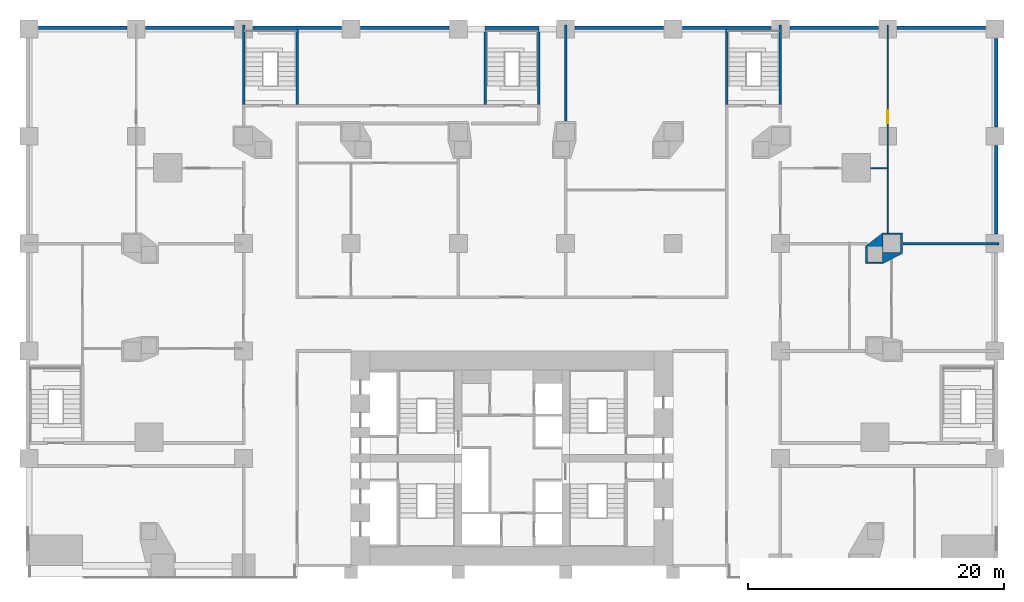
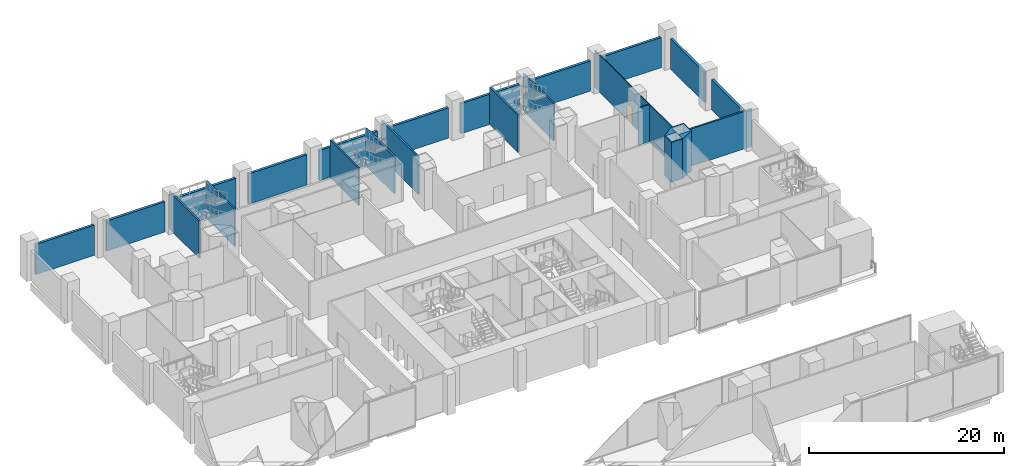
# One storey, part 16 of 24: 22 walls, 1 door, 1 opening.
"""IFC4 building model written with IfcOpenShell, lengths in metres."""

from ifc_helpers import new_model, si_unit, direction, frame, frame_2d, origin, place, context, subcontext, project, spatial, polyline, rectangle, outline, extrude, material, layer, layer_set, type_object, element, fill, save


model = new_model("IFC4")

# Units and contexts
model_context = context("Model", 3, precision=1e-05, world=origin(), true_north=direction((0.0, 1.0)))
body_context = subcontext(model_context, "Body", "Model", "MODEL_VIEW")
ifc_project = project(units=[si_unit("LENGTHUNIT", "METRE"), si_unit("AREAUNIT", "SQUARE_METRE"), si_unit("VOLUMEUNIT", "CUBIC_METRE"), si_unit("PLANEANGLEUNIT", "RADIAN"), si_unit("MASSUNIT", "GRAM", prefix="KILO")], contexts=[model_context])

# Site, building, storey
site_placement = place(None, origin())
site = spatial("IfcSite", under=ifc_project, at=site_placement, CompositionType="ELEMENT")
building_placement = place(site_placement, origin())
building = spatial("IfcBuilding", under=site, at=building_placement, Name="Marenta Gate Hotel Tower", CompositionType="ELEMENT")
storey_placement = place(building_placement, frame((0.0, 0.0, 8.0)))
storey = spatial("IfcBuildingStorey", under=building, at=storey_placement, Name="L01", CompositionType="ELEMENT", Elevation=8.0)

# Walls
ifc_material_1 = material(Name="Concrete C40 board-marked", Category="concrete")
ifc_layer_1 = layer(ifc_material_1, 0.300048828125)
ifc_layer_set_1 = layer_set([ifc_layer_1], Name="Concrete C40 board-marked")
wall_type_1 = type_object("IfcWallType", Name="Board-marked concrete wall 300 mm", PredefinedType="NOTDEFINED", material=ifc_layer_set_1)
wall_1_placement = place(storey_placement, frame((37.889892578125, 25.93994140625, 0.0), z_axis=(0.0, 0.0, 1.0), x_axis=(0.0, 1.0, 0.0)))
element("IfcWall", 1, at=wall_1_placement, inside=storey, type_object=wall_type_1, Name="L01-CLD-NB-E003", PredefinedType="NOTDEFINED", context=body_context, shape_type="SweptSolid", body=[
    extrude(rectangle(XDim=6.920166015625, YDim=0.300048828125, at=frame_2d((3.4599609375, 0.0))), origin(), (0.0, 0.0, 1.0), 3.780029296875),
])
wall_2_placement = place(storey_placement, frame((37.889892578125, 34.340087890625, 0.0), z_axis=(0.0, 0.0, 1.0), x_axis=(0.0, 1.0, 0.0)))
element("IfcWall", 2, at=wall_2_placement, inside=storey, type_object=wall_type_1, Name="L01-CLD-NB-E004", PredefinedType="NOTDEFINED", context=body_context, shape_type="SweptSolid", body=[
    extrude(rectangle(XDim=6.919921875, YDim=0.300048828125, at=frame_2d((3.4599609375, 0.0))), origin(), (0.0, 0.0, 1.0), 3.780029296875),
])
wall_3_placement = place(storey_placement, frame((37.06005859375, 42.090087890625, 0.0), z_axis=(0.0, 0.0, 1.0), x_axis=(-1.0, 0.0, 0.0)))
element("IfcWall", 3, at=wall_3_placement, inside=storey, type_object=wall_type_1, Name="L01-CLD-NB-N000", PredefinedType="NOTDEFINED", context=body_context, shape_type="SweptSolid", body=[
    extrude(rectangle(XDim=6.920166015625, YDim=0.300048828125, at=frame_2d((3.4599609375, 0.0))), origin(), (0.0, 0.0, 1.0), 3.780029296875),
])
for number, where, z_axis, x_axis, name in (
    (4, (28.659912109375, 42.090087890625, 0.0), (0.0, 0.0, 1.0), (-1.0, 0.0, 0.0), "L01-CLD-NB-N001"),
    (5, (20.260009765625, 42.090087890625, 0.0), (0.0, 0.0, 1.0), (-1.0, 0.0, 0.0), "L01-CLD-NB-N002"),
):
    element("IfcWall", number, at=place(storey_placement, frame(where, z_axis=z_axis, x_axis=x_axis)), inside=storey, type_object=wall_type_1, Name=name, PredefinedType="NOTDEFINED", context=body_context, shape_type="SweptSolid", body=[
        extrude(rectangle(XDim=6.919921875, YDim=0.300048828125, at=frame_2d((3.4599609375, 0.0))), origin(), (0.0, 0.0, 1.0), 3.780029296875),
    ])
wall_4_placement = place(storey_placement, frame((11.860107421875, 42.090087890625, 0.0), z_axis=(0.0, 0.0, 1.0), x_axis=(-1.0, 0.0, 0.0)))
element("IfcWall", 6, at=wall_4_placement, inside=storey, type_object=wall_type_1, Name="L01-CLD-NB-N003", PredefinedType="NOTDEFINED", context=body_context, shape_type="SweptSolid", body=[
    extrude(rectangle(XDim=6.920166015625, YDim=0.300048828125, at=frame_2d((3.4599609375, 0.0))), origin(), (0.0, 0.0, 1.0), 3.780029296875),
])
wall_5_placement = place(storey_placement, frame((3.4599609375, 42.090087890625, 0.0), z_axis=(0.0, 0.0, 1.0), x_axis=(-1.0, 0.0, 0.0)))
element("IfcWall", 7, at=wall_5_placement, inside=storey, type_object=wall_type_1, Name="L01-CLD-NB-N004", PredefinedType="NOTDEFINED", context=body_context, shape_type="SweptSolid", body=[
    extrude(rectangle(XDim=6.919921875, YDim=0.300048828125, at=frame_2d((3.4599609375, 0.0))), origin(), (0.0, 0.0, 1.0), 3.780029296875),
])
wall_6_placement = place(storey_placement, frame((-4.93994140625, 42.090087890625, 0.0), z_axis=(0.0, 0.0, 1.0), x_axis=(-1.0, 0.0, 0.0)))
element("IfcWall", 8, at=wall_6_placement, inside=storey, type_object=wall_type_1, Name="L01-CLD-NB-N005", PredefinedType="NOTDEFINED", context=body_context, shape_type="SweptSolid", body=[
    extrude(rectangle(XDim=6.920166015625, YDim=0.300048828125, at=frame_2d((3.4599609375, 0.0))), origin(), (0.0, 0.0, 1.0), 3.780029296875),
])
for number, where, z_axis, x_axis, name in (
    (9, (-13.340087890625, 42.090087890625, 0.0), (0.0, 0.0, 1.0), (-1.0, 0.0, 0.0), "L01-CLD-NB-N006"),
    (10, (-21.739990234375, 42.090087890625, 0.0), (0.0, 0.0, 1.0), (-1.0, 0.0, 0.0), "L01-CLD-NB-N007"),
):
    element("IfcWall", number, at=place(storey_placement, frame(where, z_axis=z_axis, x_axis=x_axis)), inside=storey, type_object=wall_type_1, Name=name, PredefinedType="NOTDEFINED", context=body_context, shape_type="SweptSolid", body=[
        extrude(rectangle(XDim=6.919921875, YDim=0.300048828125, at=frame_2d((3.4599609375, 0.0))), origin(), (0.0, 0.0, 1.0), 3.780029296875),
    ])
wall_7_placement = place(storey_placement, frame((-30.139892578125, 42.090087890625, 0.0), z_axis=(0.0, 0.0, 1.0), x_axis=(-1.0, 0.0, 0.0)))
element("IfcWall", 11, at=wall_7_placement, inside=storey, type_object=wall_type_1, Name="L01-CLD-NB-N008", PredefinedType="NOTDEFINED", context=body_context, shape_type="SweptSolid", body=[
    extrude(rectangle(XDim=6.920166015625, YDim=0.300048828125, at=frame_2d((3.4599609375, 0.0))), origin(), (0.0, 0.0, 1.0), 3.780029296875),
])
ifc_material_2 = material(Name="Concrete C70", Category="concrete")
ifc_layer_2 = layer(ifc_material_2, 1.60009765625)
ifc_layer_set_2 = layer_set([ifc_layer_2], Name="Concrete C70")
wall_type_2 = type_object("IfcWallType", Name="Pier wall board-marked concrete C70", PredefinedType="SOLIDWALL", material=ifc_layer_set_2)
wall_8_placement = place(storey_placement, origin())
element("IfcWall", 12, at=wall_8_placement, inside=storey, type_object=wall_type_2, Name="L01-PIER-10", PredefinedType="SOLIDWALL", context=body_context, shape_type="SweptSolid", body=[
    extrude(outline(polyline([(27.679931640625, 25.015380859375), (28.97900390625, 26.02001953125), (30.5400390625, 26.02001953125), (30.5400390625, 24.427490234375), (29.029541015625, 23.636474609375), (27.679931640625, 23.636474609375), (27.679931640625, 25.015380859375)]), holes=[polyline([(29.02001953125, 24.5), (30.419921875, 24.5), (30.419921875, 25.89990234375), (29.02001953125, 25.89990234375), (29.02001953125, 24.5)]), polyline([(27.800048828125, 23.75634765625), (29.0, 23.75634765625), (29.0, 24.956298828125), (27.800048828125, 24.956298828125), (27.800048828125, 23.75634765625)])]), origin(), (0.0, 0.0, 1.0), 5.0),
])

# Wall, opening, door
ifc_material_3 = material(Name="Gypsum board on steel stud", Category="steel")
ifc_layer_3 = layer(ifc_material_3, 0.10009765625)
ifc_layer_set_3 = layer_set([ifc_layer_3], Name="Gypsum board on steel stud")
wall_type_3 = type_object("IfcWallType", Name="Room partition 100", PredefinedType="PARTITIONING", material=ifc_layer_set_3)
wall_9_placement = place(storey_placement, frame((29.39990234375, 26.070068359375, 0.0), z_axis=(0.0, 0.0, 1.0), x_axis=(0.0, 1.0, 0.0)))
wall_9 = element("IfcWall", 13, at=wall_9_placement, inside=storey, type_object=wall_type_3, Name="L01-PTN-W008", PredefinedType="PARTITIONING", context=body_context, shape_type="SweptSolid", body=[
    extrude(rectangle(XDim=16.22998046875, YDim=0.10009765625, at=frame_2d((8.114990234375, 0.0))), origin(), (0.0, 0.0, 1.0), 4.679931640625),
])
opening_placement = place(wall_9_placement, frame((8.554931640625, 0.0, 0.0)))
opening = element("IfcOpeningElement", 14, at=opening_placement, cuts=wall_9, Name="Opening S02-16", PredefinedType="OPENING", context=body_context, shape_type="SweptSolid", body=[
    extrude(rectangle(XDim=1.0, YDim=2.10009765625, at=frame_2d((0.5, 1.050048828125))), frame((0.0, 0.050048828125, 0.0), z_axis=(0.0, -1.0, 0.0), x_axis=(1.0, 0.0, 0.0)), (0.0, 0.0, 1.0), 0.10009765625),
])
ifc_material_4 = material(Name="Hollow steel door set", Category="steel")
door_type = type_object("IfcDoorType", Name="Room service door 1000x2100", OperationType="NOTDEFINED", PredefinedType="DOOR", material=ifc_material_4)
door_placement = place(opening_placement, origin())
door = element("IfcDoor", 15, at=door_placement, inside=storey, type_object=door_type, Name="L01-PD-D016", OperationType="SINGLE_SWING_RIGHT", OverallHeight=2.10009765625, OverallWidth=1.0, PredefinedType="DOOR", context=body_context, shape_type="SweptSolid", body=[
    extrude(rectangle(XDim=1.0, YDim=2.10009765625, at=frame_2d((0.5, 1.050048828125))), frame((0.0, 0.02490234375, 0.0), z_axis=(0.0, -1.0, 0.0), x_axis=(1.0, 0.0, 0.0)), (0.0, 0.0, 1.0), 0.050048828125),
])
fill(opening, door)

# Walls
wall_10_placement = place(storey_placement, frame((28.055908203125, 31.10009765625, 0.0), z_axis=(0.0, 0.0, 1.0), x_axis=(1.0, 0.0, 0.0)))
element("IfcWall", 16, at=wall_10_placement, inside=storey, type_object=wall_type_3, Name="L01-PTN-W063", PredefinedType="PARTITIONING", context=body_context, shape_type="SweptSolid", body=[
    extrude(rectangle(XDim=1.294189453125, YDim=0.10009765625, at=frame_2d((0.64697265625, 0.0))), origin(), (0.0, 0.0, 1.0), 4.679931640625),
])
ifc_material_5 = material(Name="Concrete blockwork", Category="masonry")
ifc_layer_4 = layer(ifc_material_5, 0.199951171875)
ifc_layer_set_4 = layer_set([ifc_layer_4], Name="Concrete blockwork")
wall_type_4 = type_object("IfcWallType", Name="Room party wall 200 EI 120", PredefinedType="PARTITIONING", material=ifc_layer_set_4)
for number, where, z_axis, x_axis, name in (
    (17, (4.199951171875, 34.7900390625, 0.0), (0.0, 0.0, 1.0), (0.0, 1.0, 0.0), "L01-PTN-W024"),
    (18, (30.590087890625, 25.199951171875, 0.0), (0.0, 0.0, 1.0), (1.0, 0.0, 0.0), "L01-PTN-W057"),
):
    element("IfcWall", number, at=place(storey_placement, frame(where, z_axis=z_axis, x_axis=x_axis)), inside=storey, type_object=wall_type_4, Name=name, PredefinedType="PARTITIONING", context=body_context, shape_type="SweptSolid", body=[
        extrude(rectangle(XDim=7.510009765625, YDim=0.199951171875, at=frame_2d((3.7548828125, 0.0))), origin(), (0.0, 0.0, 1.0), 4.679931640625),
    ])
ifc_material_6 = material(Name="Concrete blockwork", Category="masonry")
ifc_layer_5 = layer(ifc_material_6, 0.199951171875)
ifc_layer_set_5 = layer_set([ifc_layer_5], Name="Concrete blockwork")
wall_type_5 = type_object("IfcWallType", Name="Room party wall 200 REI 180", PredefinedType="PARTITIONING", material=ifc_layer_set_5)
wall_11_placement = place(storey_placement, frame((21.0, 36.10009765625, 0.0), z_axis=(0.0, 0.0, 1.0), x_axis=(0.0, 1.0, 0.0)))
element("IfcWall", 19, at=wall_11_placement, inside=storey, type_object=wall_type_5, Name="L01-PTN-W016", PredefinedType="PARTITIONING", context=body_context, shape_type="SweptSolid", body=[
    extrude(rectangle(XDim=6.199951171875, YDim=0.199951171875, at=frame_2d((3.10009765625, 0.0))), origin(), (0.0, 0.0, 1.0), 4.679931640625),
])
for number, where, z_axis, x_axis, name in (
    (20, (16.800048828125, 36.10009765625, 0.0), (0.0, 0.0, 1.0), (0.0, 1.0, 0.0), "L01-PTN-W021"),
    (21, (2.10009765625, 36.10009765625, 0.0), (0.0, 0.0, 1.0), (0.0, 1.0, 0.0), "L01-PTN-W026"),
    (22, (-2.10009765625, 36.10009765625, 0.0), (0.0, 0.0, 1.0), (0.0, 1.0, 0.0), "L01-PTN-W029"),
    (23, (-16.800048828125, 36.10009765625, 0.0), (0.0, 0.0, 1.0), (0.0, 1.0, 0.0), "L01-PTN-W043"),
):
    element("IfcWall", number, at=place(storey_placement, frame(where, z_axis=z_axis, x_axis=x_axis)), inside=storey, type_object=wall_type_5, Name=name, PredefinedType="PARTITIONING", context=body_context, shape_type="SweptSolid", body=[
        extrude(rectangle(XDim=5.83984375, YDim=0.199951171875, at=frame_2d((2.919921875, 0.0))), origin(), (0.0, 0.0, 1.0), 4.679931640625),
    ])
wall_12_placement = place(storey_placement, frame((-21.0, 36.10009765625, 0.0), z_axis=(0.0, 0.0, 1.0), x_axis=(0.0, 1.0, 0.0)))
element("IfcWall", 24, at=wall_12_placement, inside=storey, type_object=wall_type_5, Name="L01-PTN-W052", PredefinedType="PARTITIONING", context=body_context, shape_type="SweptSolid", body=[
    extrude(rectangle(XDim=6.199951171875, YDim=0.199951171875, at=frame_2d((3.10009765625, 0.0))), origin(), (0.0, 0.0, 1.0), 4.679931640625),
])

save(model, "model.ifc")
